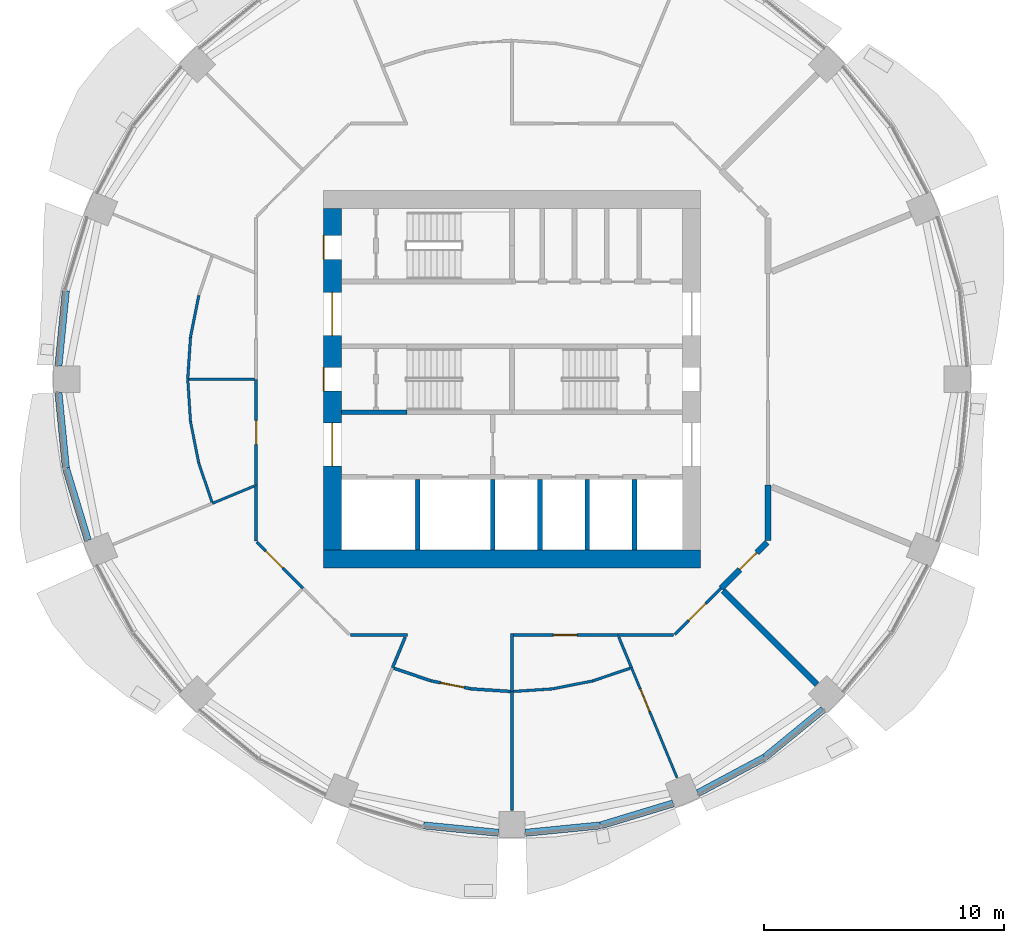
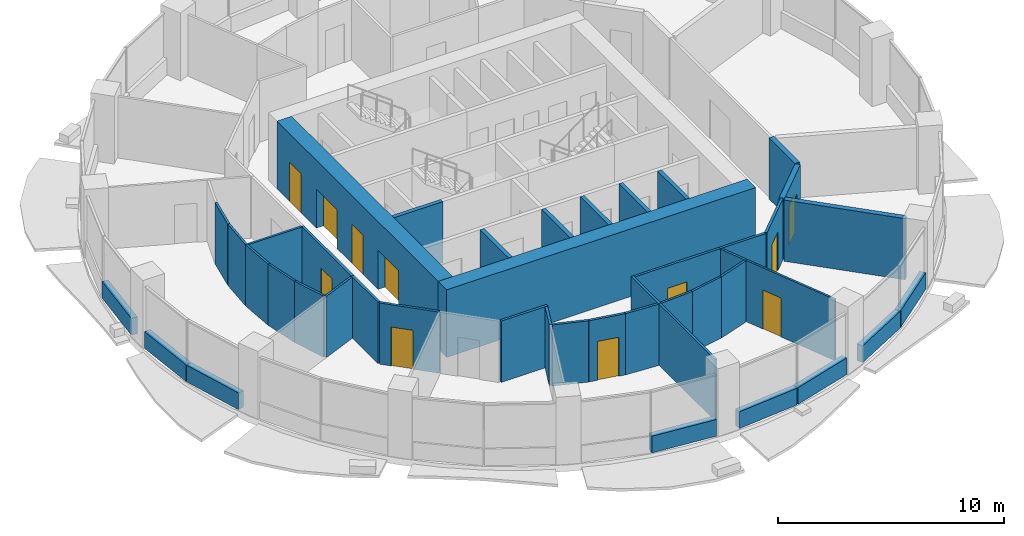
# One storey, part 7 of 14: 44 walls, 11 doors, 11 openings.
"""IFC4 building model written with IfcOpenShell, lengths in metres."""

from ifc_helpers import new_model, si_unit, direction, frame, frame_2d, origin, place, context, subcontext, project, spatial, rectangle, extrude, material, layer, layer_set, type_object, element, fill, save


model = new_model("IFC4")

# Units and contexts
model_context = context("Model", 3, precision=1e-05, world=origin(), true_north=direction((0.0, 1.0)))
body_context = subcontext(model_context, "Body", "Model", "MODEL_VIEW")
ifc_project = project(units=[si_unit("LENGTHUNIT", "METRE"), si_unit("AREAUNIT", "SQUARE_METRE"), si_unit("VOLUMEUNIT", "CUBIC_METRE"), si_unit("PLANEANGLEUNIT", "RADIAN"), si_unit("MASSUNIT", "GRAM", prefix="KILO")], contexts=[model_context])

# Site, building, storey
site_placement = place(None, origin())
site = spatial("IfcSite", under=ifc_project, at=site_placement, CompositionType="ELEMENT")
building_placement = place(site_placement, origin())
building = spatial("IfcBuilding", under=site, at=building_placement, Name="Polderwave Tower", CompositionType="ELEMENT")
storey_placement = place(building_placement, frame((0.0, 0.0, 105.60009765625)))
storey = spatial("IfcBuildingStorey", under=building, at=storey_placement, Name="L27", CompositionType="ELEMENT", Elevation=105.60009765625)

# Wall
ifc_material_1 = material(Name="Concrete C70/85", Category="concrete")
ifc_layer_1 = layer(ifc_material_1, 0.75)
ifc_layer_set_1 = layer_set([ifc_layer_1], Name="CORE WALL 750 C70/85")
wall_type_1 = type_object("IfcWallType", Name="CORE WALL 750 C70/85", PredefinedType="SHEAR", material=ifc_layer_set_1)
wall_1_placement = place(storey_placement, frame((-7.8740234375, -7.4990234375, 0.0), z_axis=(0.0, 0.0, 1.0), x_axis=(1.0, 0.0, 0.0)))
element("IfcWall", 1, at=wall_1_placement, inside=storey, type_object=wall_type_1, Name="ST-CORE-L27-S", PredefinedType="SHEAR", context=body_context, shape_type="SweptSolid", body=[
    extrude(rectangle(XDim=15.748046875, YDim=0.75, at=frame_2d((7.8740234375, 0.0))), origin(), (0.0, 0.0, 1.0), 3.64990234375),
])

# Wall, openings, doors
wall_2_placement = place(storey_placement, frame((-7.4990234375, -7.1240234375, 0.0), z_axis=(0.0, 0.0, 1.0), x_axis=(0.0, 1.0, 0.0)))
wall_2 = element("IfcWall", 2, at=wall_2_placement, inside=storey, type_object=wall_type_1, Name="ST-CORE-L27-W", PredefinedType="SHEAR", context=body_context, shape_type="SweptSolid", body=[
    extrude(rectangle(XDim=14.248046875, YDim=0.75, at=frame_2d((7.1240234375, 0.0))), origin(), (0.0, 0.0, 1.0), 3.64990234375),
])
opening_1_placement = place(wall_2_placement, frame((6.6240234375, 0.0, 0.0)))
opening_1 = element("IfcOpeningElement", 3, at=opening_1_placement, cuts=wall_2, Name="Opening L27-D19", PredefinedType="OPENING", context=body_context, shape_type="SweptSolid", body=[
    extrude(rectangle(XDim=1.0, YDim=2.10009765625, at=frame_2d((0.5, 1.050048828125))), frame((0.0, 0.385009765625, 0.0), z_axis=(0.0, -1.0, 0.0), x_axis=(1.0, 0.0, 0.0)), (0.0, 0.0, 1.0), 0.77001953125),
])
opening_2_placement = place(wall_2_placement, frame((3.49951171875, 0.0, 0.0)))
opening_2 = element("IfcOpeningElement", 4, at=opening_2_placement, cuts=wall_2, Name="Opening L27-D20", PredefinedType="OPENING", context=body_context, shape_type="SweptSolid", body=[
    extrude(rectangle(XDim=1.800048828125, YDim=2.10009765625, at=frame_2d((0.89990234375, 1.050048828125))), frame((0.0, 0.385009765625, 0.0), z_axis=(0.0, -1.0, 0.0), x_axis=(1.0, 0.0, 0.0)), (0.0, 0.0, 1.0), 0.77001953125),
])
opening_3_placement = place(wall_2_placement, frame((8.948486328125, 0.0, 0.0)))
opening_3 = element("IfcOpeningElement", 5, at=opening_3_placement, cuts=wall_2, Name="Opening L27-D21", PredefinedType="OPENING", context=body_context, shape_type="SweptSolid", body=[
    extrude(rectangle(XDim=1.800048828125, YDim=2.10009765625, at=frame_2d((0.89990234375, 1.050048828125))), frame((0.0, 0.385009765625, 0.0), z_axis=(0.0, -1.0, 0.0), x_axis=(1.0, 0.0, 0.0)), (0.0, 0.0, 1.0), 0.77001953125),
])
opening_4_placement = place(wall_2_placement, frame((12.1240234375, 0.0, 0.0)))
opening_4 = element("IfcOpeningElement", 6, at=opening_4_placement, cuts=wall_2, Name="Opening L27-D22", PredefinedType="OPENING", context=body_context, shape_type="SweptSolid", body=[
    extrude(rectangle(XDim=1.0, YDim=2.10009765625, at=frame_2d((0.5, 1.050048828125))), frame((0.0, 0.385009765625, 0.0), z_axis=(0.0, -1.0, 0.0), x_axis=(1.0, 0.0, 0.0)), (0.0, 0.0, 1.0), 0.77001953125),
])
ifc_material_2 = material(Name="Steel fire door", Category="steel")
door_type_1 = type_object("IfcDoorType", Name="Lobby entry door pair 1800", OperationType="DOUBLE_DOOR_SINGLE_SWING", PredefinedType="DOOR", material=ifc_material_2)
door_1_placement = place(opening_2_placement, origin())
door_1 = element("IfcDoor", 7, at=door_1_placement, inside=storey, type_object=door_type_1, Name="Fire-fighting lobby entry door", OperationType="DOUBLE_DOOR_SINGLE_SWING", OverallHeight=2.10009765625, OverallWidth=1.800048828125, PredefinedType="DOOR", context=body_context, shape_type="SweptSolid", body=[
    extrude(rectangle(XDim=1.800048828125, YDim=2.10009765625, at=frame_2d((0.89990234375, 1.050048828125))), frame((0.0, 0.02490234375, 0.0), z_axis=(0.0, -1.0, 0.0), x_axis=(1.0, 0.0, 0.0)), (0.0, 0.0, 1.0), 0.050048828125),
])
fill(opening_2, door_1)
door_2_placement = place(opening_3_placement, origin())
door_2 = element("IfcDoor", 8, at=door_2_placement, inside=storey, type_object=door_type_1, Name="North lobby entry door", OperationType="DOUBLE_DOOR_SINGLE_SWING", OverallHeight=2.10009765625, OverallWidth=1.800048828125, PredefinedType="DOOR", context=body_context, shape_type="SweptSolid", body=[
    extrude(rectangle(XDim=1.800048828125, YDim=2.10009765625, at=frame_2d((0.89990234375, 1.050048828125))), frame((0.0, 0.02490234375, 0.0), z_axis=(0.0, -1.0, 0.0), x_axis=(1.0, 0.0, 0.0)), (0.0, 0.0, 1.0), 0.050048828125),
])
fill(opening_3, door_2)
door_type_2 = type_object("IfcDoorType", Name="Stair door 1000", OperationType="NOTDEFINED", PredefinedType="DOOR", material=ifc_material_2)
door_3_placement = place(opening_1_placement, origin())
door_3 = element("IfcDoor", 9, at=door_3_placement, inside=storey, type_object=door_type_2, Name="Stair A entry door", OperationType="SINGLE_SWING_RIGHT", OverallHeight=2.10009765625, OverallWidth=1.0, PredefinedType="DOOR", context=body_context, shape_type="SweptSolid", body=[
    extrude(rectangle(XDim=1.0, YDim=2.10009765625, at=frame_2d((0.5, 1.050048828125))), frame((0.0, 0.375, 0.0), z_axis=(0.0, -1.0, 0.0), x_axis=(1.0, 0.0, 0.0)), (0.0, 0.0, 1.0), 0.050048828125),
])
fill(opening_1, door_3)
door_4_placement = place(opening_4_placement, origin())
door_4 = element("IfcDoor", 10, at=door_4_placement, inside=storey, type_object=door_type_2, Name="Stair C entry door", OperationType="SINGLE_SWING_RIGHT", OverallHeight=2.10009765625, OverallWidth=1.0, PredefinedType="DOOR", context=body_context, shape_type="SweptSolid", body=[
    extrude(rectangle(XDim=1.0, YDim=2.10009765625, at=frame_2d((0.5, 1.050048828125))), frame((0.0, 0.375, 0.0), z_axis=(0.0, -1.0, 0.0), x_axis=(1.0, 0.0, 0.0)), (0.0, 0.0, 1.0), 0.050048828125),
])
fill(opening_4, door_4)

# Walls
ifc_material_3 = material(Name="Concrete C50/60 (board-marked)", Category="concrete")
ifc_layer_2 = layer(ifc_material_3, 0.300048828125)
ifc_layer_set_2 = layer_set([ifc_layer_2], Name="Concrete spandrel upstand C50/60")
wall_type_2 = type_object("IfcWallType", Name="Concrete spandrel upstand C50/60", PredefinedType="SOLIDWALL", material=ifc_layer_set_2)
for number, where, z_axis, x_axis, name in (
    (11, (-18.616455078125, 3.68798828125, 0.0), (0.0, 0.0, 1.0), (-0.098148390136, -0.995171790956, 0.0), "Spandrel L27 8b"),
    (12, (-18.924560546875, -0.56396484375, 0.0), (0.0, 0.0, 1.0), (0.098148390136, -0.995171790956, 0.0), "Spandrel L27 9a"),
):
    element("IfcWall", number, at=place(storey_placement, frame(where, z_axis=z_axis, x_axis=x_axis)), inside=storey, type_object=wall_type_2, Name=name, PredefinedType="SOLIDWALL", context=body_context, shape_type="SweptSolid", body=[
        extrude(rectangle(XDim=3.13916015625, YDim=0.300048828125, at=frame_2d((1.569580078125, 0.0))), origin(), (0.0, 0.0, 1.0), 0.89990234375),
    ])
wall_3_placement = place(storey_placement, frame((-18.610595703125, -3.71728515625, 0.0), z_axis=(0.0, 0.0, 1.0), x_axis=(0.290214584271, -0.956961595403, 0.0)))
element("IfcWall", 13, at=wall_3_placement, inside=storey, type_object=wall_type_2, Name="Spandrel L27 9b", PredefinedType="SOLIDWALL", context=body_context, shape_type="SweptSolid", body=[
    extrude(rectangle(XDim=3.139404296875, YDim=0.300048828125, at=frame_2d((1.56982421875, 0.0))), origin(), (0.0, 0.0, 1.0), 0.89990234375),
])
for number, where, z_axis, x_axis, name in (
    (14, (-3.68798828125, -18.616455078125, 0.0), (0.0, 0.0, 1.0), (0.995171790956, -0.098148390136, 0.0), "Spandrel L27 12b"),
    (15, (0.56396484375, -18.924560546875, 0.0), (0.0, 0.0, 1.0), (0.995171790956, 0.098148390136, 0.0), "Spandrel L27 13a"),
):
    element("IfcWall", number, at=place(storey_placement, frame(where, z_axis=z_axis, x_axis=x_axis)), inside=storey, type_object=wall_type_2, Name=name, PredefinedType="SOLIDWALL", context=body_context, shape_type="SweptSolid", body=[
        extrude(rectangle(XDim=3.13916015625, YDim=0.300048828125, at=frame_2d((1.569580078125, 0.0))), origin(), (0.0, 0.0, 1.0), 0.89990234375),
    ])
wall_4_placement = place(storey_placement, frame((3.71728515625, -18.610595703125, 0.0), z_axis=(0.0, 0.0, 1.0), x_axis=(0.956961595403, 0.290214584271, 0.0)))
element("IfcWall", 16, at=wall_4_placement, inside=storey, type_object=wall_type_2, Name="Spandrel L27 13b", PredefinedType="SOLIDWALL", context=body_context, shape_type="SweptSolid", body=[
    extrude(rectangle(XDim=3.139404296875, YDim=0.300048828125, at=frame_2d((1.56982421875, 0.0))), origin(), (0.0, 0.0, 1.0), 0.89990234375),
])
wall_5_placement = place(storey_placement, frame((7.76318359375, -17.267822265625, 0.0), z_axis=(0.0, 0.0, 1.0), x_axis=(0.88193278355, 0.471375185282, 0.0)))
element("IfcWall", 17, at=wall_5_placement, inside=storey, type_object=wall_type_2, Name="Spandrel L27 14a", PredefinedType="SOLIDWALL", context=body_context, shape_type="SweptSolid", body=[
    extrude(rectangle(XDim=3.13916015625, YDim=0.300048828125, at=frame_2d((1.569580078125, 0.0))), origin(), (0.0, 0.0, 1.0), 0.89990234375),
])
wall_6_placement = place(storey_placement, frame((10.556640625, -15.771484375, 0.0), z_axis=(0.0, 0.0, 1.0), x_axis=(0.773107597536, 0.634274895162, 0.0)))
element("IfcWall", 18, at=wall_6_placement, inside=storey, type_object=wall_type_2, Name="Spandrel L27 14b", PredefinedType="SOLIDWALL", context=body_context, shape_type="SweptSolid", body=[
    extrude(rectangle(XDim=3.138916015625, YDim=0.300048828125, at=frame_2d((1.5693359375, 0.0))), origin(), (0.0, 0.0, 1.0), 0.89990234375),
])
ifc_material_4 = material(Name="Concrete C50/60", Category="concrete")
ifc_layer_3 = layer(ifc_material_4, 0.199951171875)
ifc_layer_set_3 = layer_set([ifc_layer_3], Name="Core web wall 200")
wall_type_3 = type_object("IfcWallType", Name="Core web wall 200", PredefinedType="SHEAR", material=ifc_layer_set_3)
wall_7_placement = place(storey_placement, frame((-7.1240234375, -1.375, 0.0), z_axis=(0.0, 0.0, 1.0), x_axis=(1.0, 0.0, 0.0)))
element("IfcWall", 19, at=wall_7_placement, inside=storey, type_object=wall_type_3, Name="L27 south stair wall 1", PredefinedType="SHEAR", context=body_context, shape_type="SweptSolid", body=[
    extrude(rectangle(XDim=2.75, YDim=0.199951171875, at=frame_2d((1.375, 0.0))), origin(), (0.0, 0.0, 1.0), 3.2998046875),
])

# Wall, opening, door
ifc_material_5 = material(Name="Fire-resisting board on steel studs", Category="steel")
ifc_layer_4 = layer(ifc_material_5, 0.125)
ifc_layer_set_4 = layer_set([ifc_layer_4], Name="Corridor wall 125 mm EI 60")
wall_type_4 = type_object("IfcWallType", Name="Corridor wall 125 mm EI 60", PredefinedType="PARTITIONING", material=ifc_layer_set_4)
wall_8_placement = place(storey_placement, frame((-10.674072265625, -4.42138671875, 0.0), z_axis=(0.0, 0.0, 1.0), x_axis=(0.0, 1.0, 0.0)))
wall_8 = element("IfcWall", 20, at=wall_8_placement, inside=storey, type_object=wall_type_4, Name="IN-L27-W014", PredefinedType="PARTITIONING", context=body_context, shape_type="SweptSolid", body=[
    extrude(rectangle(XDim=4.42138671875, YDim=0.125, at=frame_2d((2.210693359375, 0.0))), origin(), (0.0, 0.0, 1.0), 3.2998046875),
])
opening_5_placement = place(wall_8_placement, frame((1.699951171875, 0.0, 0.0)))
opening_5 = element("IfcOpeningElement", 21, at=opening_5_placement, cuts=wall_8, Name="Opening L27-D58", PredefinedType="OPENING", context=body_context, shape_type="SweptSolid", body=[
    extrude(rectangle(XDim=1.0, YDim=2.10009765625, at=frame_2d((0.5, 1.050048828125))), frame((0.0, 0.072509765625, 0.0), z_axis=(0.0, -1.0, 0.0), x_axis=(1.0, 0.0, 0.0)), (0.0, 0.0, 1.0), 0.14501953125),
])
ifc_material_6 = material(Name="Timber fire door leaf", Category="wood")
door_type_3 = type_object("IfcDoorType", Name="Fire door FD30S 1000 x 2100", OperationType="NOTDEFINED", PredefinedType="DOOR", material=ifc_material_6)
door_5_placement = place(opening_5_placement, origin())
door_5 = element("IfcDoor", 22, at=door_5_placement, inside=storey, type_object=door_type_3, Name="Door L27-D58", OperationType="SINGLE_SWING_LEFT", OverallHeight=2.10009765625, OverallWidth=1.0, PredefinedType="DOOR", context=body_context, shape_type="SweptSolid", body=[
    extrude(rectangle(XDim=1.0, YDim=2.10009765625, at=frame_2d((0.5, 1.050048828125))), frame((0.0, 0.02490234375, 0.0), z_axis=(0.0, -1.0, 0.0), x_axis=(1.0, 0.0, 0.0)), (0.0, 0.0, 1.0), 0.050048828125),
])
fill(opening_5, door_5)

# Wall
wall_9_placement = place(storey_placement, frame((-10.674072265625, -6.7451171875, 0.0), z_axis=(0.0, 0.0, 1.0), x_axis=(0.0, 1.0, 0.0)))
element("IfcWall", 23, at=wall_9_placement, inside=storey, type_object=wall_type_4, Name="IN-L27-W015", PredefinedType="PARTITIONING", context=body_context, shape_type="SweptSolid", body=[
    extrude(rectangle(XDim=2.32373046875, YDim=0.125, at=frame_2d((1.161865234375, 0.0))), origin(), (0.0, 0.0, 1.0), 3.2998046875),
])

# Wall, opening, door
wall_10_placement = place(storey_placement, frame((-8.722412109375, -8.722412109375, 0.0), z_axis=(0.0, 0.0, 1.0), x_axis=(-0.707151428813, 0.707062130741, 0.0)))
wall_10 = element("IfcWall", 24, at=wall_10_placement, inside=storey, type_object=wall_type_4, Name="IN-L27-W016", PredefinedType="PARTITIONING", context=body_context, shape_type="SweptSolid", body=[
    extrude(rectangle(XDim=2.73388671875, YDim=0.125, at=frame_2d((1.366943359375, 0.0))), origin(), (0.0, 0.0, 1.0), 3.2998046875),
])
opening_6_placement = place(wall_10_placement, frame((1.199951171875, 0.0, 0.0)))
opening_6 = element("IfcOpeningElement", 25, at=opening_6_placement, cuts=wall_10, Name="Opening L27-D59", PredefinedType="OPENING", context=body_context, shape_type="SweptSolid", body=[
    extrude(rectangle(XDim=1.0, YDim=2.10009765625, at=frame_2d((0.5, 1.050048828125))), frame((0.0, 0.072509765625, 0.0), z_axis=(0.0, -1.0, 0.0), x_axis=(1.0, 0.0, 0.0)), (0.0, 0.0, 1.0), 0.14501953125),
])
door_6_placement = place(opening_6_placement, origin())
door_6 = element("IfcDoor", 26, at=door_6_placement, inside=storey, type_object=door_type_3, Name="Door L27-D59", OperationType="SINGLE_SWING_RIGHT", OverallHeight=2.10009765625, OverallWidth=1.0, PredefinedType="DOOR", context=body_context, shape_type="SweptSolid", body=[
    extrude(rectangle(XDim=1.0, YDim=2.10009765625, at=frame_2d((0.5, 1.050048828125))), frame((0.0, 0.02490234375, 0.0), z_axis=(0.0, -1.0, 0.0), x_axis=(1.0, 0.0, 0.0)), (0.0, 0.0, 1.0), 0.050048828125),
])
fill(opening_6, door_6)

# Wall
wall_11_placement = place(storey_placement, frame((-4.35888671875, -10.674072265625, 0.0), z_axis=(0.0, 0.0, 1.0), x_axis=(-1.0, 0.0, 0.0)))
element("IfcWall", 27, at=wall_11_placement, inside=storey, type_object=wall_type_4, Name="IN-L27-W018", PredefinedType="PARTITIONING", context=body_context, shape_type="SweptSolid", body=[
    extrude(rectangle(XDim=2.38623046875, YDim=0.125, at=frame_2d((1.193115234375, 0.0))), origin(), (0.0, 0.0, 1.0), 3.2998046875),
])

# Wall, opening, door
wall_12_placement = place(storey_placement, frame((4.42138671875, -10.674072265625, 0.0), z_axis=(0.0, 0.0, 1.0), x_axis=(-1.0, 0.0, 0.0)))
wall_12 = element("IfcWall", 28, at=wall_12_placement, inside=storey, type_object=wall_type_4, Name="IN-L27-W019", PredefinedType="PARTITIONING", context=body_context, shape_type="SweptSolid", body=[
    extrude(rectangle(XDim=4.35888671875, YDim=0.125, at=frame_2d((2.179443359375, 0.0))), origin(), (0.0, 0.0, 1.0), 3.2998046875),
])
opening_7_placement = place(wall_12_placement, frame((1.699951171875, 0.0, 0.0)))
opening_7 = element("IfcOpeningElement", 29, at=opening_7_placement, cuts=wall_12, Name="Opening L27-D61", PredefinedType="OPENING", context=body_context, shape_type="SweptSolid", body=[
    extrude(rectangle(XDim=1.0, YDim=2.10009765625, at=frame_2d((0.5, 1.050048828125))), frame((0.0, 0.072509765625, 0.0), z_axis=(0.0, -1.0, 0.0), x_axis=(1.0, 0.0, 0.0)), (0.0, 0.0, 1.0), 0.14501953125),
])
door_7_placement = place(opening_7_placement, origin())
door_7 = element("IfcDoor", 30, at=door_7_placement, inside=storey, type_object=door_type_3, Name="Door L27-D61", OperationType="SINGLE_SWING_RIGHT", OverallHeight=2.10009765625, OverallWidth=1.0, PredefinedType="DOOR", context=body_context, shape_type="SweptSolid", body=[
    extrude(rectangle(XDim=1.0, YDim=2.10009765625, at=frame_2d((0.5, 1.050048828125))), frame((0.0, 0.02490234375, 0.0), z_axis=(0.0, -1.0, 0.0), x_axis=(1.0, 0.0, 0.0)), (0.0, 0.0, 1.0), 0.050048828125),
])
fill(opening_7, door_7)

# Wall
wall_13_placement = place(storey_placement, frame((6.7451171875, -10.674072265625, 0.0), z_axis=(0.0, 0.0, 1.0), x_axis=(-1.0, 0.0, 0.0)))
element("IfcWall", 31, at=wall_13_placement, inside=storey, type_object=wall_type_4, Name="IN-L27-W020", PredefinedType="PARTITIONING", context=body_context, shape_type="SweptSolid", body=[
    extrude(rectangle(XDim=2.32373046875, YDim=0.125, at=frame_2d((1.161865234375, 0.0))), origin(), (0.0, 0.0, 1.0), 3.2998046875),
])

# Wall, opening, door
wall_14_placement = place(storey_placement, frame((8.722412109375, -8.722412109375, 0.0), z_axis=(0.0, 0.0, 1.0), x_axis=(-0.707062130741, -0.707151428813, 0.0)))
wall_14 = element("IfcWall", 32, at=wall_14_placement, inside=storey, type_object=wall_type_4, Name="IN-L27-W021", PredefinedType="PARTITIONING", context=body_context, shape_type="SweptSolid", body=[
    extrude(rectangle(XDim=2.73388671875, YDim=0.125, at=frame_2d((1.366943359375, 0.0))), origin(), (0.0, 0.0, 1.0), 3.2998046875),
])
opening_8_placement = place(wall_14_placement, frame((0.89990234375, 0.0, 0.0)))
opening_8 = element("IfcOpeningElement", 33, at=opening_8_placement, cuts=wall_14, Name="Opening L27-D62", PredefinedType="OPENING", context=body_context, shape_type="SweptSolid", body=[
    extrude(rectangle(XDim=1.0, YDim=2.10009765625, at=frame_2d((0.5, 1.050048828125))), frame((0.0, 0.072509765625, 0.0), z_axis=(0.0, -1.0, 0.0), x_axis=(1.0, 0.0, 0.0)), (0.0, 0.0, 1.0), 0.14501953125),
])
door_8_placement = place(opening_8_placement, origin())
door_8 = element("IfcDoor", 34, at=door_8_placement, inside=storey, type_object=door_type_3, Name="Door L27-D62", OperationType="SINGLE_SWING_RIGHT", OverallHeight=2.10009765625, OverallWidth=1.0, PredefinedType="DOOR", context=body_context, shape_type="SweptSolid", body=[
    extrude(rectangle(XDim=1.0, YDim=2.10009765625, at=frame_2d((0.5, 1.050048828125))), frame((0.0, 0.02490234375, 0.0), z_axis=(0.0, -1.0, 0.0), x_axis=(1.0, 0.0, 0.0)), (0.0, 0.0, 1.0), 0.050048828125),
])
fill(opening_8, door_8)

# Walls
wall_15_placement = place(storey_placement, frame((-4.45703125, -10.760498046875, 0.0), z_axis=(0.0, 0.0, 1.0), x_axis=(-0.382746785562, -0.923853288213, 0.0)))
element("IfcWall", 35, at=wall_15_placement, inside=storey, type_object=wall_type_4, Name="IN-L27-W049", PredefinedType="PARTITIONING", context=body_context, shape_type="SweptSolid", body=[
    extrude(rectangle(XDim=1.3828125, YDim=0.125, at=frame_2d((0.69140625, 0.0))), origin(), (0.0, 0.0, 1.0), 3.2998046875),
])
wall_16_placement = place(storey_placement, frame((-3.376220703125, -12.584716796875, 0.0), z_axis=(0.0, 0.0, 1.0), x_axis=(-0.946920220616, 0.321468654442, 0.0)))
element("IfcWall", 36, at=wall_16_placement, inside=storey, type_object=wall_type_4, Name="IN-L27-W051", PredefinedType="PARTITIONING", context=body_context, shape_type="SweptSolid", body=[
    extrude(rectangle(XDim=1.633544921875, YDim=0.125, at=frame_2d((0.81689453125, 0.0))), origin(), (0.0, 0.0, 1.0), 3.2998046875),
])

# Wall, opening, door
wall_17_placement = place(storey_placement, frame((-1.704833984375, -12.917724609375, 0.0), z_axis=(0.0, 0.0, 1.0), x_axis=(-0.980795988991, 0.195036478586, 0.0)))
wall_17 = element("IfcWall", 37, at=wall_17_placement, inside=storey, type_object=wall_type_4, Name="IN-L27-W052", PredefinedType="PARTITIONING", context=body_context, shape_type="SweptSolid", body=[
    extrude(rectangle(XDim=1.696044921875, YDim=0.125, at=frame_2d((0.84814453125, 0.0))), origin(), (0.0, 0.0, 1.0), 3.2998046875),
])
opening_9_placement = place(wall_17_placement, frame((0.300048828125, 0.0, 0.0)))
opening_9 = element("IfcOpeningElement", 38, at=opening_9_placement, cuts=wall_17, Name="Opening L27-D65", PredefinedType="OPENING", context=body_context, shape_type="SweptSolid", body=[
    extrude(rectangle(XDim=1.0, YDim=2.10009765625, at=frame_2d((0.5, 1.050048828125))), frame((0.0, 0.072509765625, 0.0), z_axis=(0.0, -1.0, 0.0), x_axis=(1.0, 0.0, 0.0)), (0.0, 0.0, 1.0), 0.14501953125),
])
door_9_placement = place(opening_9_placement, origin())
door_9 = element("IfcDoor", 39, at=door_9_placement, inside=storey, type_object=door_type_3, Name="Door L27-D65", OperationType="SINGLE_SWING_LEFT", OverallHeight=2.10009765625, OverallWidth=1.0, PredefinedType="DOOR", context=body_context, shape_type="SweptSolid", body=[
    extrude(rectangle(XDim=1.0, YDim=2.10009765625, at=frame_2d((0.5, 1.050048828125))), frame((0.0, 0.02490234375, 0.0), z_axis=(0.0, -1.0, 0.0), x_axis=(1.0, 0.0, 0.0)), (0.0, 0.0, 1.0), 0.050048828125),
])
fill(opening_9, door_9)

# Walls
wall_18_placement = place(storey_placement, frame((-0.066650390625, -13.025634765625, 0.0), z_axis=(0.0, 0.0, 1.0), x_axis=(-0.997855349109, 0.065457637099, 0.0)))
element("IfcWall", 40, at=wall_18_placement, inside=storey, type_object=wall_type_4, Name="IN-L27-W053", PredefinedType="PARTITIONING", context=body_context, shape_type="SweptSolid", body=[
    extrude(rectangle(XDim=1.633544921875, YDim=0.125, at=frame_2d((0.81689453125, 0.0))), origin(), (0.0, 0.0, 1.0), 3.2998046875),
])
wall_19_placement = place(storey_placement, frame((0.0, -10.611572265625, 0.0), z_axis=(0.0, 0.0, 1.0), x_axis=(0.0, -1.0, 0.0)))
element("IfcWall", 41, at=wall_19_placement, inside=storey, type_object=wall_type_4, Name="IN-L27-W054", PredefinedType="PARTITIONING", context=body_context, shape_type="SweptSolid", body=[
    extrude(rectangle(XDim=2.41845703125, YDim=0.125, at=frame_2d((1.209228515625, 0.0))), origin(), (0.0, 0.0, 1.0), 3.2998046875),
])

# Wall, opening, door
ifc_material_7 = material(Name="Plasterboard on steel studs", Category="steel")
ifc_layer_5 = layer(ifc_material_7, 0.10009765625)
ifc_layer_set_5 = layer_set([ifc_layer_5], Name="Partition 100 mm plasterboard on steel studs")
wall_type_5 = type_object("IfcWallType", Name="Partition 100 mm plasterboard on steel studs", PredefinedType="PARTITIONING", material=ifc_layer_set_5)
wall_20_placement = place(storey_placement, frame((6.88818359375, -16.6298828125, 0.0), z_axis=(0.0, 0.0, 1.0), x_axis=(-0.38266126553, 0.923888714003, 0.0)))
wall_20 = element("IfcWall", 42, at=wall_20_placement, inside=storey, type_object=wall_type_5, Name="IN-L27-W060", PredefinedType="PARTITIONING", context=body_context, shape_type="SweptSolid", body=[
    extrude(rectangle(XDim=4.969970703125, YDim=0.10009765625, at=frame_2d((2.48486328125, 0.0))), origin(), (0.0, 0.0, 1.0), 3.2998046875),
])
opening_10_placement = place(wall_20_placement, frame((3.0, 0.0, 0.0)))
opening_10 = element("IfcOpeningElement", 43, at=opening_10_placement, cuts=wall_20, Name="Opening L27-D66", PredefinedType="OPENING", context=body_context, shape_type="SweptSolid", body=[
    extrude(rectangle(XDim=1.0, YDim=2.10009765625, at=frame_2d((0.5, 1.050048828125))), frame((0.0, 0.06005859375, 0.0), z_axis=(0.0, -1.0, 0.0), x_axis=(1.0, 0.0, 0.0)), (0.0, 0.0, 1.0), 0.1201171875),
])
ifc_material_8 = material(Name="Timber veneer door leaf", Category="wood")
door_type_4 = type_object("IfcDoorType", Name="Single door 1000 x 2100", OperationType="NOTDEFINED", PredefinedType="DOOR", material=ifc_material_8)
door_10_placement = place(opening_10_placement, origin())
door_10 = element("IfcDoor", 44, at=door_10_placement, inside=storey, type_object=door_type_4, Name="Door L27-D66", OperationType="SINGLE_SWING_RIGHT", OverallHeight=2.10009765625, OverallWidth=1.0, PredefinedType="DOOR", context=body_context, shape_type="SweptSolid", body=[
    extrude(rectangle(XDim=1.0, YDim=2.10009765625, at=frame_2d((0.5, 1.050048828125))), frame((0.0, 0.02490234375, 0.0), z_axis=(0.0, -1.0, 0.0), x_axis=(1.0, 0.0, 0.0)), (0.0, 0.0, 1.0), 0.050048828125),
])
fill(opening_10, door_10)

# Walls
ifc_material_9 = material(Name="Moisture-resistant board on steel studs, tiled", Category="steel")
ifc_layer_6 = layer(ifc_material_9, 0.10498046875)
ifc_layer_set_6 = layer_set([ifc_layer_6], Name="Partition 105 mm wet room board and tile")
wall_type_6 = type_object("IfcWallType", Name="Partition 105 mm wet room board and tile", PredefinedType="PARTITIONING", material=ifc_layer_set_6)
wall_21_placement = place(storey_placement, frame((-10.736572265625, 0.0, 0.0), z_axis=(0.0, 0.0, 1.0), x_axis=(-1.0, 0.0, 0.0)))
element("IfcWall", 45, at=wall_21_placement, inside=storey, type_object=wall_type_6, Name="IN-L27-W042", PredefinedType="PARTITIONING", context=body_context, shape_type="SweptSolid", body=[
    extrude(rectangle(XDim=2.73486328125, YDim=0.10498046875, at=frame_2d((1.367431640625, 0.0))), origin(), (0.0, 0.0, 1.0), 3.2998046875),
])
wall_22_placement = place(storey_placement, frame((-13.530029296875, 0.0, 0.0), z_axis=(0.0, 0.0, 1.0), x_axis=(0.065509945756, -0.997851916372, 0.0)))
element("IfcWall", 46, at=wall_22_placement, inside=storey, type_object=wall_type_6, Name="IN-L27-W043", PredefinedType="PARTITIONING", context=body_context, shape_type="SweptSolid", body=[
    extrude(rectangle(XDim=1.7666015625, YDim=0.10498046875, at=frame_2d((0.88330078125, 0.0))), origin(), (0.0, 0.0, 1.0), 3.2998046875),
])
wall_23_placement = place(storey_placement, frame((-13.41357421875, -1.769287109375, 0.0), z_axis=(0.0, 0.0, 1.0), x_axis=(0.19513063546, -0.980777260699, 0.0)))
element("IfcWall", 47, at=wall_23_placement, inside=storey, type_object=wall_type_6, Name="IN-L27-W044", PredefinedType="PARTITIONING", context=body_context, shape_type="SweptSolid", body=[
    extrude(rectangle(XDim=1.762939453125, YDim=0.10498046875, at=frame_2d((0.88134765625, 0.0))), origin(), (0.0, 0.0, 1.0), 3.2998046875),
])
wall_24_placement = place(storey_placement, frame((-13.06787109375, -3.505126953125, 0.0), z_axis=(0.0, 0.0, 1.0), x_axis=(0.321490655205, -0.946912751322, 0.0)))
element("IfcWall", 48, at=wall_24_placement, inside=storey, type_object=wall_type_6, Name="IN-L27-W045", PredefinedType="PARTITIONING", context=body_context, shape_type="SweptSolid", body=[
    extrude(rectangle(XDim=1.710205078125, YDim=0.10498046875, at=frame_2d((0.85498046875, 0.0))), origin(), (0.0, 0.0, 1.0), 3.2998046875),
])
wall_25_placement = place(storey_placement, frame((-10.756591796875, -4.45556640625, 0.0), z_axis=(0.0, 0.0, 1.0), x_axis=(-0.923874914803, -0.382694580309, 0.0)))
element("IfcWall", 49, at=wall_25_placement, inside=storey, type_object=wall_type_6, Name="IN-L27-W047", PredefinedType="PARTITIONING", context=body_context, shape_type="SweptSolid", body=[
    extrude(rectangle(XDim=1.886962890625, YDim=0.10498046875, at=frame_2d((0.943359375, 0.0))), origin(), (0.0, 0.0, 1.0), 3.2998046875),
])
ifc_material_10 = material(Name="Acoustic double plasterboard on steel studs", Category="steel")
ifc_layer_7 = layer(ifc_material_10, 0.110107421875)
ifc_layer_set_7 = layer_set([ifc_layer_7], Name="Partition 110 mm acoustic double board")
wall_type_7 = type_object("IfcWallType", Name="Partition 110 mm acoustic double board", PredefinedType="PARTITIONING", material=ifc_layer_set_7)
wall_26_placement = place(storey_placement, frame((-13.530029296875, 0.0, 0.0), z_axis=(0.0, 0.0, 1.0), x_axis=(0.06551898146, 0.997851323128, 0.0)))
element("IfcWall", 50, at=wall_26_placement, inside=storey, type_object=wall_type_7, Name="IN-L27-W039", PredefinedType="PARTITIONING", context=body_context, shape_type="SweptSolid", body=[
    extrude(rectangle(XDim=1.766357421875, YDim=0.110107421875, at=frame_2d((0.88330078125, 0.0))), origin(), (0.0, 0.0, 1.0), 3.2998046875),
])
wall_27_placement = place(storey_placement, frame((-13.41357421875, 1.76953125, 0.0), z_axis=(0.0, 0.0, 1.0), x_axis=(0.195157142921, 0.980771986532, 0.0)))
element("IfcWall", 51, at=wall_27_placement, inside=storey, type_object=wall_type_7, Name="IN-L27-W040", PredefinedType="PARTITIONING", context=body_context, shape_type="SweptSolid", body=[
    extrude(rectangle(XDim=1.7626953125, YDim=0.110107421875, at=frame_2d((0.88134765625, 0.0))), origin(), (0.0, 0.0, 1.0), 3.2998046875),
])
wall_28_placement = place(storey_placement, frame((0.0, -13.030029296875, 0.0), z_axis=(0.0, 0.0, 1.0), x_axis=(0.0, -1.0, 0.0)))
element("IfcWall", 52, at=wall_28_placement, inside=storey, type_object=wall_type_7, Name="IN-L27-W055", PredefinedType="PARTITIONING", context=body_context, shape_type="SweptSolid", body=[
    extrude(rectangle(XDim=4.969970703125, YDim=0.110107421875, at=frame_2d((2.48486328125, 0.0))), origin(), (0.0, 0.0, 1.0), 3.2998046875),
])
wall_29_placement = place(storey_placement, frame((1.697265625, -12.918701171875, 0.0), z_axis=(0.0, 0.0, 1.0), x_axis=(-0.997857908157, -0.065418614545, 0.0)))
element("IfcWall", 53, at=wall_29_placement, inside=storey, type_object=wall_type_7, Name="IN-L27-W056", PredefinedType="PARTITIONING", context=body_context, shape_type="SweptSolid", body=[
    extrude(rectangle(XDim=1.634521484375, YDim=0.110107421875, at=frame_2d((0.8173828125, 0.0))), origin(), (0.0, 0.0, 1.0), 3.2998046875),
])
wall_30_placement = place(storey_placement, frame((3.368896484375, -12.586669921875, 0.0), z_axis=(0.0, 0.0, 1.0), x_axis=(-0.980790359024, -0.19506478833, 0.0)))
element("IfcWall", 54, at=wall_30_placement, inside=storey, type_object=wall_type_7, Name="IN-L27-W057", PredefinedType="PARTITIONING", context=body_context, shape_type="SweptSolid", body=[
    extrude(rectangle(XDim=1.697265625, YDim=0.110107421875, at=frame_2d((0.8486328125, 0.0))), origin(), (0.0, 0.0, 1.0), 3.2998046875),
])
wall_31_placement = place(storey_placement, frame((4.930908203125, -12.05712890625, 0.0), z_axis=(0.0, 0.0, 1.0), x_axis=(-0.946990007889, -0.321263015235, 0.0)))
element("IfcWall", 55, at=wall_31_placement, inside=storey, type_object=wall_type_7, Name="IN-L27-W058", PredefinedType="PARTITIONING", context=body_context, shape_type="SweptSolid", body=[
    extrude(rectangle(XDim=1.642333984375, YDim=0.110107421875, at=frame_2d((0.8212890625, 0.0))), origin(), (0.0, 0.0, 1.0), 3.2998046875),
])
wall_32_placement = place(storey_placement, frame((4.455810546875, -10.757568359375, 0.0), z_axis=(0.0, 0.0, 1.0), x_axis=(0.382751066095, -0.923851514803, 0.0)))
element("IfcWall", 56, at=wall_32_placement, inside=storey, type_object=wall_type_7, Name="IN-L27-W059", PredefinedType="PARTITIONING", context=body_context, shape_type="SweptSolid", body=[
    extrude(rectangle(XDim=1.385986328125, YDim=0.110107421875, at=frame_2d((0.69287109375, 0.0))), origin(), (0.0, 0.0, 1.0), 3.2998046875),
])

# Wall, opening, door
ifc_material_11 = material(Name="Fire-resisting board on steel studs, mineral wool", Category="steel")
ifc_layer_8 = layer(ifc_material_11, 0.25)
ifc_layer_set_8 = layer_set([ifc_layer_8], Name="Plant room wall 250 mm EI 120")
wall_type_8 = type_object("IfcWallType", Name="Plant room wall 250 mm EI 120", PredefinedType="PARTITIONING", material=ifc_layer_set_8)
wall_33_placement = place(storey_placement, frame((10.637451171875, -6.8076171875, 0.0), z_axis=(0.0, 0.0, 1.0), x_axis=(-0.707151855722, -0.707061703777, 0.0)))
wall_33 = element("IfcWall", 57, at=wall_33_placement, inside=storey, type_object=wall_type_8, Name="IN-L27-W004", PredefinedType="PARTITIONING", context=body_context, shape_type="SweptSolid", body=[
    extrude(rectangle(XDim=2.7080078125, YDim=0.25, at=frame_2d((1.35400390625, 0.0))), origin(), (0.0, 0.0, 1.0), 3.2998046875),
])
opening_11_placement = place(wall_33_placement, frame((0.60009765625, 0.0, 0.0)))
opening_11 = element("IfcOpeningElement", 58, at=opening_11_placement, cuts=wall_33, Name="Opening L27-D52", PredefinedType="OPENING", context=body_context, shape_type="SweptSolid", body=[
    extrude(rectangle(XDim=1.0, YDim=2.10009765625, at=frame_2d((0.5, 1.050048828125))), frame((0.0, 0.135009765625, 0.0), z_axis=(0.0, -1.0, 0.0), x_axis=(1.0, 0.0, 0.0)), (0.0, 0.0, 1.0), 0.27001953125),
])
ifc_material_12 = material(Name="Steel plant door leaf", Category="steel")
door_type_5 = type_object("IfcDoorType", Name="Plant door FD60 1000 x 2100 steel", OperationType="NOTDEFINED", PredefinedType="DOOR", material=ifc_material_12)
door_11_placement = place(opening_11_placement, origin())
door_11 = element("IfcDoor", 59, at=door_11_placement, inside=storey, type_object=door_type_5, Name="Door L27-D52", OperationType="SINGLE_SWING_LEFT", OverallHeight=2.10009765625, OverallWidth=1.0, PredefinedType="DOOR", context=body_context, shape_type="SweptSolid", body=[
    extrude(rectangle(XDim=1.0, YDim=2.10009765625, at=frame_2d((0.5, 1.050048828125))), frame((0.0, 0.02490234375, 0.0), z_axis=(0.0, -1.0, 0.0), x_axis=(1.0, 0.0, 0.0)), (0.0, 0.0, 1.0), 0.050048828125),
])
fill(opening_11, door_11)

# Walls
wall_34_placement = place(storey_placement, frame((10.674072265625, -4.42138671875, 0.0), z_axis=(0.0, 0.0, 1.0), x_axis=(0.0, -1.0, 0.0)))
element("IfcWall", 60, at=wall_34_placement, inside=storey, type_object=wall_type_8, Name="IN-L27-W005", PredefinedType="PARTITIONING", context=body_context, shape_type="SweptSolid", body=[
    extrude(rectangle(XDim=2.2978515625, YDim=0.25, at=frame_2d((1.14892578125, 0.0))), origin(), (0.0, 0.0, 1.0), 3.2998046875),
])
wall_35_placement = place(storey_placement, frame((8.810791015625, -8.810791015625, 0.0), z_axis=(0.0, 0.0, 1.0), x_axis=(0.707106781187, -0.707106781187, 0.0)))
element("IfcWall", 61, at=wall_35_placement, inside=storey, type_object=wall_type_8, Name="IN-L27-W061", PredefinedType="PARTITIONING", context=body_context, shape_type="SweptSolid", body=[
    extrude(rectangle(XDim=5.53955078125, YDim=0.25, at=frame_2d((2.769775390625, 0.0))), origin(), (0.0, 0.0, 1.0), 3.2998046875),
])
ifc_material_13 = material(Name="Gypsum shaft wall system")
ifc_layer_9 = layer(ifc_material_13, 0.199951171875)
ifc_layer_set_9 = layer_set([ifc_layer_9], Name="Shaft wall 200")
wall_type_9 = type_object("IfcWallType", Name="Shaft wall 200", PredefinedType="PARTITIONING", material=ifc_layer_set_9)
for number, where, z_axis, x_axis, name in (
    (62, (-3.93701171875, -7.1240234375, 0.0), (0.0, 0.0, 1.0), (0.0, 1.0, 0.0), "L27 fire-fighting shaft wall 1"),
    (63, (-0.800048828125, -7.1240234375, 0.0), (0.0, 0.0, 1.0), (0.0, 1.0, 0.0), "L27 fire-fighting shaft wall 2"),
    (64, (1.16845703125, -7.1240234375, 0.0), (0.0, 0.0, 1.0), (0.0, 1.0, 0.0), "L27 lift shaft wall 1"),
    (65, (3.136962890625, -7.1240234375, 0.0), (0.0, 0.0, 1.0), (0.0, 1.0, 0.0), "L27 lift shaft wall 2"),
    (66, (5.10546875, -7.1240234375, 0.0), (0.0, 0.0, 1.0), (0.0, 1.0, 0.0), "L27 lift shaft wall 3"),
):
    element("IfcWall", number, at=place(storey_placement, frame(where, z_axis=z_axis, x_axis=x_axis)), inside=storey, type_object=wall_type_9, Name=name, PredefinedType="PARTITIONING", context=body_context, shape_type="SweptSolid", body=[
        extrude(rectangle(XDim=2.949951171875, YDim=0.199951171875, at=frame_2d((1.47509765625, 0.0))), origin(), (0.0, 0.0, 1.0), 3.2998046875),
    ])

save(model, "model.ifc")
